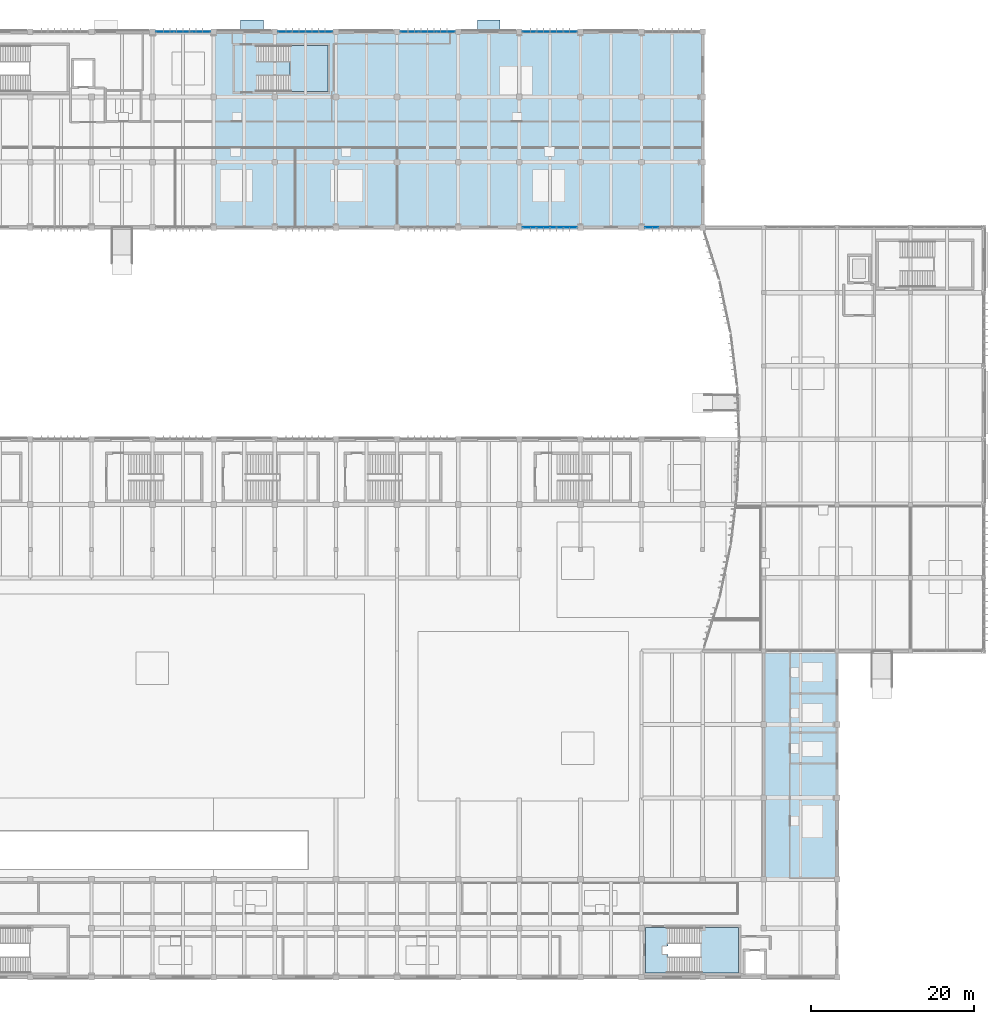
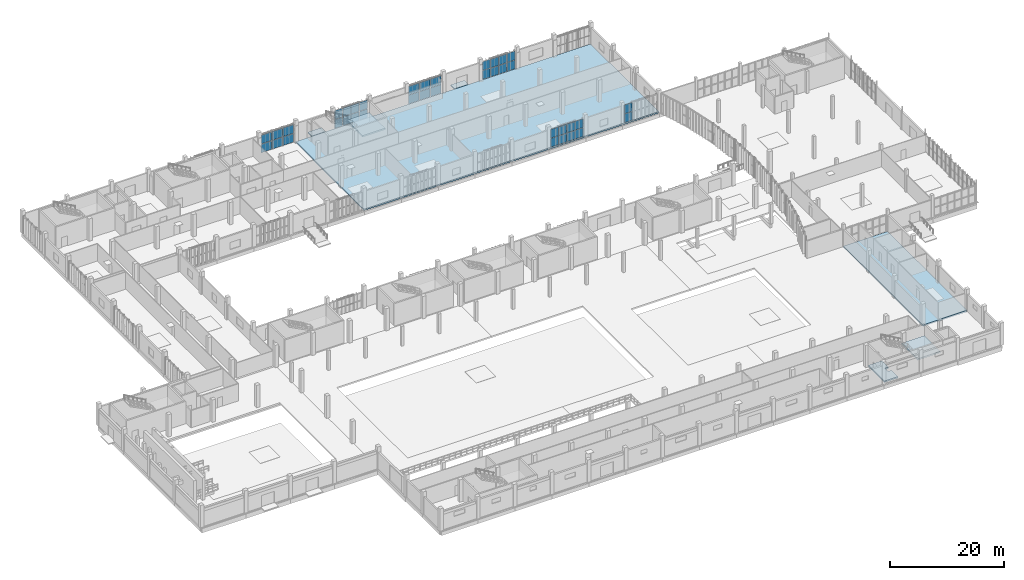
# One storey, part 38 of 72: 38 plates, 7 slabs, 8 elements without a shape of their own.
"""IFC4 building model written with IfcOpenShell, lengths in metres."""

from ifc_helpers import new_model, si_unit, direction, frame, origin, origin_2d, place, context, subcontext, project, spatial, polyline, rectangle, outline, extrude, material, layer, layer_set, type_object, element, aggregate, save


model = new_model("IFC4")

# Units and contexts
model_context = context("Model", 3, precision=1e-05, world=origin(), true_north=direction((0.0, 1.0)))
body_context = subcontext(model_context, "Body", "Model", "MODEL_VIEW")
ifc_project = project(units=[si_unit("LENGTHUNIT", "METRE"), si_unit("AREAUNIT", "SQUARE_METRE"), si_unit("VOLUMEUNIT", "CUBIC_METRE"), si_unit("PLANEANGLEUNIT", "RADIAN"), si_unit("MASSUNIT", "GRAM", prefix="KILO")], contexts=[model_context])

# Site, building, storey
site_placement = place(None, origin())
site = spatial("IfcSite", under=ifc_project, at=site_placement, CompositionType="ELEMENT")
building_placement = place(site_placement, origin())
building = spatial("IfcBuilding", under=site, at=building_placement, Name="Vourika Railside Aquatics Centre", CompositionType="ELEMENT")
storey_placement = place(building_placement, origin())
storey = spatial("IfcBuildingStorey", under=building, at=storey_placement, Name="L00", CompositionType="ELEMENT", Elevation=0.0)

# Curtain wall, plates
ifc_material_1 = material(Name="Anodized thermally broken aluminium", Category="aluminium")
curtain_wall_type = type_object("IfcCurtainWallType", Name="CW-FIT0", PredefinedType="NOTDEFINED", material=ifc_material_1)
curtain_wall_1_placement = place(storey_placement, origin())
curtain_wall_1 = element("IfcCurtainWall", 1, at=curtain_wall_1_placement, inside=storey, type_object=curtain_wall_type, Name="North Boulevard Curtain Wall L00-7", PredefinedType="NOTDEFINED")
ifc_material_2 = material(Name="Low-E solar-control laminated double glazing", Category="glass")
ifc_layer_1 = layer(ifc_material_2, 0.031982421875, Name="CWP-FIT0")
ifc_layer_set_1 = layer_set([ifc_layer_1], Name="Low-E solar-control laminated double glazing")
plate_type = type_object("IfcPlateType", Name="CWP-FIT0", PredefinedType="CURTAIN_PANEL", material=ifc_layer_set_1)
plate_1_placement = place(storey_placement, frame((71.98046875, 116.0, 0.06494140625), z_axis=(0.0, 0.0, 1.0), x_axis=(-1.0, 0.0, 0.0)))
plate_1 = element("IfcPlate", 2, at=plate_1_placement, type_object=plate_type, Name="CW14 panel 1.1", PredefinedType="CURTAIN_PANEL", context=body_context, shape_type="SweptSolid", body=[
    extrude(rectangle(XDim=2.149169921875, YDim=0.031982421875, at=origin_2d()), origin(), (0.0, 0.0, 1.0), 1.867431640625),
])
plate_2_placement = place(storey_placement, frame((71.98046875, 116.0, 1.99755859375), z_axis=(0.0, 0.0, 1.0), x_axis=(-1.0, 0.0, 0.0)))
plate_2 = element("IfcPlate", 3, at=plate_2_placement, type_object=plate_type, Name="CW14 panel 1.2", PredefinedType="CURTAIN_PANEL", context=body_context, shape_type="SweptSolid", body=[
    extrude(rectangle(XDim=2.149169921875, YDim=0.031982421875, at=origin_2d()), origin(), (0.0, 0.0, 1.0), 1.867431640625),
])
plate_3_placement = place(storey_placement, frame((69.75, 116.0, 0.06494140625), z_axis=(0.0, 0.0, 1.0), x_axis=(-1.0, 0.0, 0.0)))
plate_3 = element("IfcPlate", 4, at=plate_3_placement, type_object=plate_type, Name="CW14 panel 2.1", PredefinedType="CURTAIN_PANEL", context=body_context, shape_type="SweptSolid", body=[
    extrude(rectangle(XDim=2.181640625, YDim=0.031982421875, at=origin_2d()), origin(), (0.0, 0.0, 1.0), 1.867431640625),
])
plate_4_placement = place(storey_placement, frame((69.75, 116.0, 1.99755859375), z_axis=(0.0, 0.0, 1.0), x_axis=(-1.0, 0.0, 0.0)))
plate_4 = element("IfcPlate", 5, at=plate_4_placement, type_object=plate_type, Name="CW14 panel 2.2", PredefinedType="CURTAIN_PANEL", context=body_context, shape_type="SweptSolid", body=[
    extrude(rectangle(XDim=2.181640625, YDim=0.031982421875, at=origin_2d()), origin(), (0.0, 0.0, 1.0), 1.867431640625),
])
plate_5_placement = place(storey_placement, frame((67.51953125, 116.0, 0.06494140625), z_axis=(0.0, 0.0, 1.0), x_axis=(-1.0, 0.0, 0.0)))
plate_5 = element("IfcPlate", 6, at=plate_5_placement, type_object=plate_type, Name="CW14 panel 3.1", PredefinedType="CURTAIN_PANEL", context=body_context, shape_type="SweptSolid", body=[
    extrude(rectangle(XDim=2.149169921875, YDim=0.031982421875, at=origin_2d()), origin(), (0.0, 0.0, 1.0), 1.867431640625),
])
plate_6_placement = place(storey_placement, frame((67.51953125, 116.0, 1.99755859375), z_axis=(0.0, 0.0, 1.0), x_axis=(-1.0, 0.0, 0.0)))
plate_6 = element("IfcPlate", 7, at=plate_6_placement, type_object=plate_type, Name="CW14 panel 3.2", PredefinedType="CURTAIN_PANEL", context=body_context, shape_type="SweptSolid", body=[
    extrude(rectangle(XDim=2.149169921875, YDim=0.031982421875, at=origin_2d()), origin(), (0.0, 0.0, 1.0), 1.867431640625),
])
aggregate(curtain_wall_1, [plate_1, plate_2, plate_3, plate_4, plate_5, plate_6])

curtain_wall_2_placement = place(storey_placement, origin())
curtain_wall_2 = element("IfcCurtainWall", 8, at=curtain_wall_2_placement, inside=storey, type_object=curtain_wall_type, Name="North Boulevard Curtain Wall L00-9", PredefinedType="NOTDEFINED")
plate_7_placement = place(storey_placement, frame((87.26123046875, 116.0, 0.06494140625), z_axis=(0.0, 0.0, 1.0), x_axis=(-1.0, 0.0, 0.0)))
plate_7 = element("IfcPlate", 9, at=plate_7_placement, type_object=plate_type, Name="CW14 panel 1.1", PredefinedType="CURTAIN_PANEL", context=body_context, shape_type="SweptSolid", body=[
    extrude(rectangle(XDim=1.58740234375, YDim=0.031982421875, at=origin_2d()), origin(), (0.0, 0.0, 1.0), 1.867431640625),
])
plate_8_placement = place(storey_placement, frame((87.26123046875, 116.0, 1.99755859375), z_axis=(0.0, 0.0, 1.0), x_axis=(-1.0, 0.0, 0.0)))
plate_8 = element("IfcPlate", 10, at=plate_8_placement, type_object=plate_type, Name="CW14 panel 1.2", PredefinedType="CURTAIN_PANEL", context=body_context, shape_type="SweptSolid", body=[
    extrude(rectangle(XDim=1.58740234375, YDim=0.031982421875, at=origin_2d()), origin(), (0.0, 0.0, 1.0), 1.867431640625),
])
plate_9_placement = place(storey_placement, frame((85.592529296875, 116.0, 0.06494140625), z_axis=(0.0, 0.0, 1.0), x_axis=(-1.0, 0.0, 0.0)))
plate_9 = element("IfcPlate", 11, at=plate_9_placement, type_object=plate_type, Name="CW14 panel 2.1", PredefinedType="CURTAIN_PANEL", context=body_context, shape_type="SweptSolid", body=[
    extrude(rectangle(XDim=1.6201171875, YDim=0.031982421875, at=origin_2d()), origin(), (0.0, 0.0, 1.0), 1.867431640625),
])
plate_10_placement = place(storey_placement, frame((85.592529296875, 116.0, 1.99755859375), z_axis=(0.0, 0.0, 1.0), x_axis=(-1.0, 0.0, 0.0)))
plate_10 = element("IfcPlate", 12, at=plate_10_placement, type_object=plate_type, Name="CW14 panel 2.2", PredefinedType="CURTAIN_PANEL", context=body_context, shape_type="SweptSolid", body=[
    extrude(rectangle(XDim=1.6201171875, YDim=0.031982421875, at=origin_2d()), origin(), (0.0, 0.0, 1.0), 1.867431640625),
])
plate_11_placement = place(storey_placement, frame((83.907470703125, 116.0, 0.06494140625), z_axis=(0.0, 0.0, 1.0), x_axis=(-1.0, 0.0, 0.0)))
plate_11 = element("IfcPlate", 13, at=plate_11_placement, type_object=plate_type, Name="CW14 panel 3.1", PredefinedType="CURTAIN_PANEL", context=body_context, shape_type="SweptSolid", body=[
    extrude(rectangle(XDim=1.6201171875, YDim=0.031982421875, at=origin_2d()), origin(), (0.0, 0.0, 1.0), 1.867431640625),
])
plate_12_placement = place(storey_placement, frame((83.907470703125, 116.0, 1.99755859375), z_axis=(0.0, 0.0, 1.0), x_axis=(-1.0, 0.0, 0.0)))
plate_12 = element("IfcPlate", 14, at=plate_12_placement, type_object=plate_type, Name="CW14 panel 3.2", PredefinedType="CURTAIN_PANEL", context=body_context, shape_type="SweptSolid", body=[
    extrude(rectangle(XDim=1.6201171875, YDim=0.031982421875, at=origin_2d()), origin(), (0.0, 0.0, 1.0), 1.867431640625),
])
plate_13_placement = place(storey_placement, frame((82.23876953125, 116.0, 0.06494140625), z_axis=(0.0, 0.0, 1.0), x_axis=(-1.0, 0.0, 0.0)))
plate_13 = element("IfcPlate", 15, at=plate_13_placement, type_object=plate_type, Name="CW14 panel 4.1", PredefinedType="CURTAIN_PANEL", context=body_context, shape_type="SweptSolid", body=[
    extrude(rectangle(XDim=1.58740234375, YDim=0.031982421875, at=origin_2d()), origin(), (0.0, 0.0, 1.0), 1.867431640625),
])
plate_14_placement = place(storey_placement, frame((82.23876953125, 116.0, 1.99755859375), z_axis=(0.0, 0.0, 1.0), x_axis=(-1.0, 0.0, 0.0)))
plate_14 = element("IfcPlate", 16, at=plate_14_placement, type_object=plate_type, Name="CW14 panel 4.2", PredefinedType="CURTAIN_PANEL", context=body_context, shape_type="SweptSolid", body=[
    extrude(rectangle(XDim=1.58740234375, YDim=0.031982421875, at=origin_2d()), origin(), (0.0, 0.0, 1.0), 1.867431640625),
])
aggregate(curtain_wall_2, [plate_7, plate_8, plate_9, plate_10, plate_11, plate_12, plate_13, plate_14])

curtain_wall_3_placement = place(storey_placement, origin())
curtain_wall_3 = element("IfcCurtainWall", 17, at=curtain_wall_3_placement, inside=storey, type_object=curtain_wall_type, Name="North Boulevard Curtain Wall L00-11", PredefinedType="NOTDEFINED")
plate_15_placement = place(storey_placement, frame((101.98046875, 116.0, 0.06494140625), z_axis=(0.0, 0.0, 1.0), x_axis=(-1.0, 0.0, 0.0)))
plate_15 = element("IfcPlate", 18, at=plate_15_placement, type_object=plate_type, Name="CW14 panel 1.1", PredefinedType="CURTAIN_PANEL", context=body_context, shape_type="SweptSolid", body=[
    extrude(rectangle(XDim=2.149169921875, YDim=0.031982421875, at=origin_2d()), origin(), (0.0, 0.0, 1.0), 1.867431640625),
])
plate_16_placement = place(storey_placement, frame((101.98046875, 116.0, 1.99755859375), z_axis=(0.0, 0.0, 1.0), x_axis=(-1.0, 0.0, 0.0)))
plate_16 = element("IfcPlate", 19, at=plate_16_placement, type_object=plate_type, Name="CW14 panel 1.2", PredefinedType="CURTAIN_PANEL", context=body_context, shape_type="SweptSolid", body=[
    extrude(rectangle(XDim=2.149169921875, YDim=0.031982421875, at=origin_2d()), origin(), (0.0, 0.0, 1.0), 1.867431640625),
])
plate_17_placement = place(storey_placement, frame((99.75, 116.0, 0.06494140625), z_axis=(0.0, 0.0, 1.0), x_axis=(-1.0, 0.0, 0.0)))
plate_17 = element("IfcPlate", 20, at=plate_17_placement, type_object=plate_type, Name="CW14 panel 2.1", PredefinedType="CURTAIN_PANEL", context=body_context, shape_type="SweptSolid", body=[
    extrude(rectangle(XDim=2.181640625, YDim=0.031982421875, at=origin_2d()), origin(), (0.0, 0.0, 1.0), 1.867431640625),
])
plate_18_placement = place(storey_placement, frame((99.75, 116.0, 1.99755859375), z_axis=(0.0, 0.0, 1.0), x_axis=(-1.0, 0.0, 0.0)))
plate_18 = element("IfcPlate", 21, at=plate_18_placement, type_object=plate_type, Name="CW14 panel 2.2", PredefinedType="CURTAIN_PANEL", context=body_context, shape_type="SweptSolid", body=[
    extrude(rectangle(XDim=2.181640625, YDim=0.031982421875, at=origin_2d()), origin(), (0.0, 0.0, 1.0), 1.867431640625),
])
plate_19_placement = place(storey_placement, frame((97.51953125, 116.0, 0.06494140625), z_axis=(0.0, 0.0, 1.0), x_axis=(-1.0, 0.0, 0.0)))
plate_19 = element("IfcPlate", 22, at=plate_19_placement, type_object=plate_type, Name="CW14 panel 3.1", PredefinedType="CURTAIN_PANEL", context=body_context, shape_type="SweptSolid", body=[
    extrude(rectangle(XDim=2.149169921875, YDim=0.031982421875, at=origin_2d()), origin(), (0.0, 0.0, 1.0), 1.867431640625),
])
plate_20_placement = place(storey_placement, frame((97.51953125, 116.0, 1.99755859375), z_axis=(0.0, 0.0, 1.0), x_axis=(-1.0, 0.0, 0.0)))
plate_20 = element("IfcPlate", 23, at=plate_20_placement, type_object=plate_type, Name="CW14 panel 3.2", PredefinedType="CURTAIN_PANEL", context=body_context, shape_type="SweptSolid", body=[
    extrude(rectangle(XDim=2.149169921875, YDim=0.031982421875, at=origin_2d()), origin(), (0.0, 0.0, 1.0), 1.867431640625),
])
aggregate(curtain_wall_3, [plate_15, plate_16, plate_17, plate_18, plate_19, plate_20])

curtain_wall_4_placement = place(storey_placement, origin())
curtain_wall_4 = element("IfcCurtainWall", 24, at=curtain_wall_4_placement, inside=storey, type_object=curtain_wall_type, Name="North Boulevard Curtain Wall L00-13", PredefinedType="NOTDEFINED")
plate_21_placement = place(storey_placement, frame((117.26123046875, 116.0, 0.06494140625), z_axis=(0.0, 0.0, 1.0), x_axis=(-1.0, 0.0, 0.0)))
plate_21 = element("IfcPlate", 25, at=plate_21_placement, type_object=plate_type, Name="CW14 panel 1.1", PredefinedType="CURTAIN_PANEL", context=body_context, shape_type="SweptSolid", body=[
    extrude(rectangle(XDim=1.58740234375, YDim=0.031982421875, at=origin_2d()), origin(), (0.0, 0.0, 1.0), 1.867431640625),
])
plate_22_placement = place(storey_placement, frame((117.26123046875, 116.0, 1.99755859375), z_axis=(0.0, 0.0, 1.0), x_axis=(-1.0, 0.0, 0.0)))
plate_22 = element("IfcPlate", 26, at=plate_22_placement, type_object=plate_type, Name="CW14 panel 1.2", PredefinedType="CURTAIN_PANEL", context=body_context, shape_type="SweptSolid", body=[
    extrude(rectangle(XDim=1.58740234375, YDim=0.031982421875, at=origin_2d()), origin(), (0.0, 0.0, 1.0), 1.867431640625),
])
plate_23_placement = place(storey_placement, frame((115.592529296875, 116.0, 0.06494140625), z_axis=(0.0, 0.0, 1.0), x_axis=(-1.0, 0.0, 0.0)))
plate_23 = element("IfcPlate", 27, at=plate_23_placement, type_object=plate_type, Name="CW14 panel 2.1", PredefinedType="CURTAIN_PANEL", context=body_context, shape_type="SweptSolid", body=[
    extrude(rectangle(XDim=1.6201171875, YDim=0.031982421875, at=origin_2d()), origin(), (0.0, 0.0, 1.0), 1.867431640625),
])
plate_24_placement = place(storey_placement, frame((115.592529296875, 116.0, 1.99755859375), z_axis=(0.0, 0.0, 1.0), x_axis=(-1.0, 0.0, 0.0)))
plate_24 = element("IfcPlate", 28, at=plate_24_placement, type_object=plate_type, Name="CW14 panel 2.2", PredefinedType="CURTAIN_PANEL", context=body_context, shape_type="SweptSolid", body=[
    extrude(rectangle(XDim=1.6201171875, YDim=0.031982421875, at=origin_2d()), origin(), (0.0, 0.0, 1.0), 1.867431640625),
])
plate_25_placement = place(storey_placement, frame((113.907470703125, 116.0, 0.06494140625), z_axis=(0.0, 0.0, 1.0), x_axis=(-1.0, 0.0, 0.0)))
plate_25 = element("IfcPlate", 29, at=plate_25_placement, type_object=plate_type, Name="CW14 panel 3.1", PredefinedType="CURTAIN_PANEL", context=body_context, shape_type="SweptSolid", body=[
    extrude(rectangle(XDim=1.6201171875, YDim=0.031982421875, at=origin_2d()), origin(), (0.0, 0.0, 1.0), 1.867431640625),
])
plate_26_placement = place(storey_placement, frame((113.907470703125, 116.0, 1.99755859375), z_axis=(0.0, 0.0, 1.0), x_axis=(-1.0, 0.0, 0.0)))
plate_26 = element("IfcPlate", 30, at=plate_26_placement, type_object=plate_type, Name="CW14 panel 3.2", PredefinedType="CURTAIN_PANEL", context=body_context, shape_type="SweptSolid", body=[
    extrude(rectangle(XDim=1.6201171875, YDim=0.031982421875, at=origin_2d()), origin(), (0.0, 0.0, 1.0), 1.867431640625),
])
plate_27_placement = place(storey_placement, frame((112.23876953125, 116.0, 0.06494140625), z_axis=(0.0, 0.0, 1.0), x_axis=(-1.0, 0.0, 0.0)))
plate_27 = element("IfcPlate", 31, at=plate_27_placement, type_object=plate_type, Name="CW14 panel 4.1", PredefinedType="CURTAIN_PANEL", context=body_context, shape_type="SweptSolid", body=[
    extrude(rectangle(XDim=1.58740234375, YDim=0.031982421875, at=origin_2d()), origin(), (0.0, 0.0, 1.0), 1.867431640625),
])
plate_28_placement = place(storey_placement, frame((112.23876953125, 116.0, 1.99755859375), z_axis=(0.0, 0.0, 1.0), x_axis=(-1.0, 0.0, 0.0)))
plate_28 = element("IfcPlate", 32, at=plate_28_placement, type_object=plate_type, Name="CW14 panel 4.2", PredefinedType="CURTAIN_PANEL", context=body_context, shape_type="SweptSolid", body=[
    extrude(rectangle(XDim=1.58740234375, YDim=0.031982421875, at=origin_2d()), origin(), (0.0, 0.0, 1.0), 1.867431640625),
])
aggregate(curtain_wall_4, [plate_21, plate_22, plate_23, plate_24, plate_25, plate_26, plate_27, plate_28])

curtain_wall_5_placement = place(storey_placement, origin())
curtain_wall_5 = element("IfcCurtainWall", 33, at=curtain_wall_5_placement, inside=storey, type_object=curtain_wall_type, Name="Courtyard Fitness Curtain Wall L00-11", PredefinedType="NOTDEFINED")
plate_29_placement = place(storey_placement, frame((112.23876953125, 92.0, 0.06494140625), z_axis=(0.0, 0.0, 1.0), x_axis=(1.0, 0.0, 0.0)))
plate_29 = element("IfcPlate", 34, at=plate_29_placement, type_object=plate_type, Name="CW14 panel 1.1", PredefinedType="CURTAIN_PANEL", context=body_context, shape_type="SweptSolid", body=[
    extrude(rectangle(XDim=1.58740234375, YDim=0.031982421875, at=origin_2d()), origin(), (0.0, 0.0, 1.0), 1.867431640625),
])
plate_30_placement = place(storey_placement, frame((112.23876953125, 92.0, 1.99755859375), z_axis=(0.0, 0.0, 1.0), x_axis=(1.0, 0.0, 0.0)))
plate_30 = element("IfcPlate", 35, at=plate_30_placement, type_object=plate_type, Name="CW14 panel 1.2", PredefinedType="CURTAIN_PANEL", context=body_context, shape_type="SweptSolid", body=[
    extrude(rectangle(XDim=1.58740234375, YDim=0.031982421875, at=origin_2d()), origin(), (0.0, 0.0, 1.0), 1.867431640625),
])
plate_31_placement = place(storey_placement, frame((113.907470703125, 92.0, 0.06494140625), z_axis=(0.0, 0.0, 1.0), x_axis=(1.0, 0.0, 0.0)))
plate_31 = element("IfcPlate", 36, at=plate_31_placement, type_object=plate_type, Name="CW14 panel 2.1", PredefinedType="CURTAIN_PANEL", context=body_context, shape_type="SweptSolid", body=[
    extrude(rectangle(XDim=1.6201171875, YDim=0.031982421875, at=origin_2d()), origin(), (0.0, 0.0, 1.0), 1.867431640625),
])
plate_32_placement = place(storey_placement, frame((113.907470703125, 92.0, 1.99755859375), z_axis=(0.0, 0.0, 1.0), x_axis=(1.0, 0.0, 0.0)))
plate_32 = element("IfcPlate", 37, at=plate_32_placement, type_object=plate_type, Name="CW14 panel 2.2", PredefinedType="CURTAIN_PANEL", context=body_context, shape_type="SweptSolid", body=[
    extrude(rectangle(XDim=1.6201171875, YDim=0.031982421875, at=origin_2d()), origin(), (0.0, 0.0, 1.0), 1.867431640625),
])
plate_33_placement = place(storey_placement, frame((115.592529296875, 92.0, 0.06494140625), z_axis=(0.0, 0.0, 1.0), x_axis=(1.0, 0.0, 0.0)))
plate_33 = element("IfcPlate", 38, at=plate_33_placement, type_object=plate_type, Name="CW14 panel 3.1", PredefinedType="CURTAIN_PANEL", context=body_context, shape_type="SweptSolid", body=[
    extrude(rectangle(XDim=1.6201171875, YDim=0.031982421875, at=origin_2d()), origin(), (0.0, 0.0, 1.0), 1.867431640625),
])
plate_34_placement = place(storey_placement, frame((115.592529296875, 92.0, 1.99755859375), z_axis=(0.0, 0.0, 1.0), x_axis=(1.0, 0.0, 0.0)))
plate_34 = element("IfcPlate", 39, at=plate_34_placement, type_object=plate_type, Name="CW14 panel 3.2", PredefinedType="CURTAIN_PANEL", context=body_context, shape_type="SweptSolid", body=[
    extrude(rectangle(XDim=1.6201171875, YDim=0.031982421875, at=origin_2d()), origin(), (0.0, 0.0, 1.0), 1.867431640625),
])
plate_35_placement = place(storey_placement, frame((117.26123046875, 92.0, 0.06494140625), z_axis=(0.0, 0.0, 1.0), x_axis=(1.0, 0.0, 0.0)))
plate_35 = element("IfcPlate", 40, at=plate_35_placement, type_object=plate_type, Name="CW14 panel 4.1", PredefinedType="CURTAIN_PANEL", context=body_context, shape_type="SweptSolid", body=[
    extrude(rectangle(XDim=1.58740234375, YDim=0.031982421875, at=origin_2d()), origin(), (0.0, 0.0, 1.0), 1.867431640625),
])
plate_36_placement = place(storey_placement, frame((117.26123046875, 92.0, 1.99755859375), z_axis=(0.0, 0.0, 1.0), x_axis=(1.0, 0.0, 0.0)))
plate_36 = element("IfcPlate", 41, at=plate_36_placement, type_object=plate_type, Name="CW14 panel 4.2", PredefinedType="CURTAIN_PANEL", context=body_context, shape_type="SweptSolid", body=[
    extrude(rectangle(XDim=1.58740234375, YDim=0.031982421875, at=origin_2d()), origin(), (0.0, 0.0, 1.0), 1.867431640625),
])
aggregate(curtain_wall_5, [plate_29, plate_30, plate_31, plate_32, plate_33, plate_34, plate_35, plate_36])

curtain_wall_6_placement = place(storey_placement, origin())
curtain_wall_6 = element("IfcCurtainWall", 42, at=curtain_wall_6_placement, inside=storey, type_object=curtain_wall_type, Name="Courtyard Fitness Curtain Wall L00-13", PredefinedType="NOTDEFINED")
plate_37_placement = place(storey_placement, frame((127.23876953125, 92.0, 0.06494140625), z_axis=(0.0, 0.0, 1.0), x_axis=(1.0, 0.0, 0.0)))
plate_37 = element("IfcPlate", 43, at=plate_37_placement, type_object=plate_type, Name="CW14 panel 1.1", PredefinedType="CURTAIN_PANEL", context=body_context, shape_type="SweptSolid", body=[
    extrude(rectangle(XDim=1.58740234375, YDim=0.031982421875, at=origin_2d()), origin(), (0.0, 0.0, 1.0), 1.867431640625),
])
plate_38_placement = place(storey_placement, frame((127.23876953125, 92.0, 1.99755859375), z_axis=(0.0, 0.0, 1.0), x_axis=(1.0, 0.0, 0.0)))
plate_38 = element("IfcPlate", 44, at=plate_38_placement, type_object=plate_type, Name="CW14 panel 1.2", PredefinedType="CURTAIN_PANEL", context=body_context, shape_type="SweptSolid", body=[
    extrude(rectangle(XDim=1.58740234375, YDim=0.031982421875, at=origin_2d()), origin(), (0.0, 0.0, 1.0), 1.867431640625),
])
aggregate(curtain_wall_6, [plate_37, plate_38])

# Slabs
ifc_material_3 = material(Name="Concrete C35/45", Category="concrete")
ifc_layer_2 = layer(ifc_material_3, 0.2099609375, Name="SLB-APRON-210E")
ifc_layer_set_2 = layer_set([ifc_layer_2], Name="Concrete C35/45")
slab_type_1 = type_object("IfcSlabType", Name="SLB-APRON-210E", PredefinedType="FLOOR", material=ifc_layer_set_2)
slab_1_placement = place(storey_placement, frame((0.0, 0.0, -0.2099609375)))
element("IfcSlab", 45, at=slab_1_placement, inside=storey, type_object=slab_type_1, Name="Exterior Entrance Threshold Apron V5N_7", PredefinedType="FLOOR", context=body_context, shape_type="SweptSolid", body=[
    extrude(outline(polyline([(76.800048828125, 116.050048828125), (79.60009765625, 116.050048828125), (79.60009765625, 117.449951171875), (76.800048828125, 117.449951171875), (76.800048828125, 116.050048828125)])), origin(), (0.0, 0.0, 1.0), 0.2099609375),
])
slab_2_placement = place(storey_placement, frame((0.0, 0.0, -0.2099609375)))
element("IfcSlab", 46, at=slab_2_placement, inside=storey, type_object=slab_type_1, Name="Exterior Entrance Threshold Apron V5N_11", PredefinedType="FLOOR", context=body_context, shape_type="SweptSolid", body=[
    extrude(outline(polyline([(105.85009765625, 116.050048828125), (108.64990234375, 116.050048828125), (108.64990234375, 117.449951171875), (105.85009765625, 117.449951171875), (105.85009765625, 116.050048828125)])), origin(), (0.0, 0.0, 1.0), 0.2099609375),
])
ifc_layer_3 = layer(ifc_material_3, 0.31005859375, Name="SLB-CORE-310")
ifc_layer_set_3 = layer_set([ifc_layer_3], Name="Concrete C35/45")
slab_type_2 = type_object("IfcSlabType", Name="SLB-CORE-310", PredefinedType="FLOOR", material=ifc_layer_set_3)
slab_3_placement = place(storey_placement, frame((0.0, 0.0, -0.31005859375)))
element("IfcSlab", 47, at=slab_3_placement, inside=storey, type_object=slab_type_2, Name="Protected Exit Stair Core ST06 Core Floor Landing (L00)", PredefinedType="FLOOR", context=body_context, shape_type="SweptSolid", body=[
    extrude(outline(polyline([(126.5, 0.5), (129.239990234375, 0.5), (129.239990234375, 2.75), (128.550048828125, 2.75), (128.550048828125, 3.85009765625), (129.239990234375, 3.85009765625), (129.239990234375, 6.10009765625), (126.5, 6.10009765625), (126.5, 0.5)])), origin(), (0.0, 0.0, 1.0), 0.31005859375),
])
ifc_layer_4 = layer(ifc_material_3, 0.300048828125, Name="SLB-FLOOR-300")
ifc_layer_set_4 = layer_set([ifc_layer_4], Name="Concrete C35/45")
slab_type_3 = type_object("IfcSlabType", Name="SLB-FLOOR-300", PredefinedType="FLOOR", material=ifc_layer_set_4)
slab_4_placement = place(storey_placement, frame((0.0, 0.0, -0.300048828125)))
element("IfcSlab", 48, at=slab_4_placement, inside=storey, type_object=slab_type_3, Name="L00 Floor Slab (v4_east)", PredefinedType="FLOOR", context=body_context, shape_type="SweptSolid", body=[
    extrude(outline(polyline([(141.0, 12.0), (141.0, 40.0), (150.0, 40.0), (150.0, 12.0), (141.0, 12.0)])), origin(), (0.0, 0.0, 1.0), 0.300048828125),
])
slab_5_placement = place(storey_placement, frame((0.0, 0.0, -0.300048828125)))
element("IfcSlab", 49, at=slab_5_placement, inside=storey, type_object=slab_type_3, Name="L00 Floor Slab (v5_ne)", PredefinedType="FLOOR", context=body_context, shape_type="SweptSolid", body=[
    extrude(outline(polyline([(73.5, 92.0), (73.5, 116.0), (133.5, 116.0), (133.5, 92.0), (73.5, 92.0)])), origin(), (0.0, 0.0, 1.0), 0.300048828125),
])

# Stair, slab
stair_type = type_object("IfcStairType", Name="STR-CORE-L00", PredefinedType="TWO_STRAIGHT_RUN_STAIR", material=ifc_material_3)
stair_1_placement = place(storey_placement, origin())
stair_1 = element("IfcStair", 50, at=stair_1_placement, inside=storey, type_object=stair_type, Name="Protected Exit Stair Core ST03 (L00)", PredefinedType="TWO_STRAIGHT_RUN_STAIR")
ifc_layer_5 = layer(ifc_material_3, 0.31005859375, Name="SLB-LND-310")
ifc_layer_set_5 = layer_set([ifc_layer_5], Name="Concrete C35/45")
slab_type_4 = type_object("IfcSlabType", Name="SLB-LND-310", PredefinedType="LANDING", material=ifc_layer_set_5)
slab_6_placement = place(storey_placement, frame((0.0, 0.0, 2.090087890625)))
slab_6 = element("IfcSlab", 51, at=slab_6_placement, type_object=slab_type_4, Name="STC-L00 landing 1", PredefinedType="LANDING", context=body_context, shape_type="SweptSolid", body=[
    extrude(outline(polyline([(82.8720703125, 108.699951171875), (87.5, 108.699951171875), (87.5, 114.300048828125), (82.8720703125, 114.300048828125), (82.8720703125, 108.699951171875)])), origin(), (0.0, 0.0, 1.0), 0.309814453125),
])
aggregate(stair_1, [slab_6])

stair_2_placement = place(storey_placement, origin())
stair_2 = element("IfcStair", 52, at=stair_2_placement, inside=storey, type_object=stair_type, Name="Protected Exit Stair Core ST06 (L00)", PredefinedType="TWO_STRAIGHT_RUN_STAIR")
slab_7_placement = place(storey_placement, frame((0.0, 0.0, 2.090087890625)))
slab_7 = element("IfcSlab", 53, at=slab_7_placement, type_object=slab_type_4, Name="STC-L00 landing 1", PredefinedType="LANDING", context=body_context, shape_type="SweptSolid", body=[
    extrude(outline(polyline([(133.27197265625, 0.5), (137.89990234375, 0.5), (137.89990234375, 6.10009765625), (133.27197265625, 6.10009765625), (133.27197265625, 0.5)])), origin(), (0.0, 0.0, 1.0), 0.309814453125),
])
aggregate(stair_2, [slab_7])

save(model, "model.ifc")
